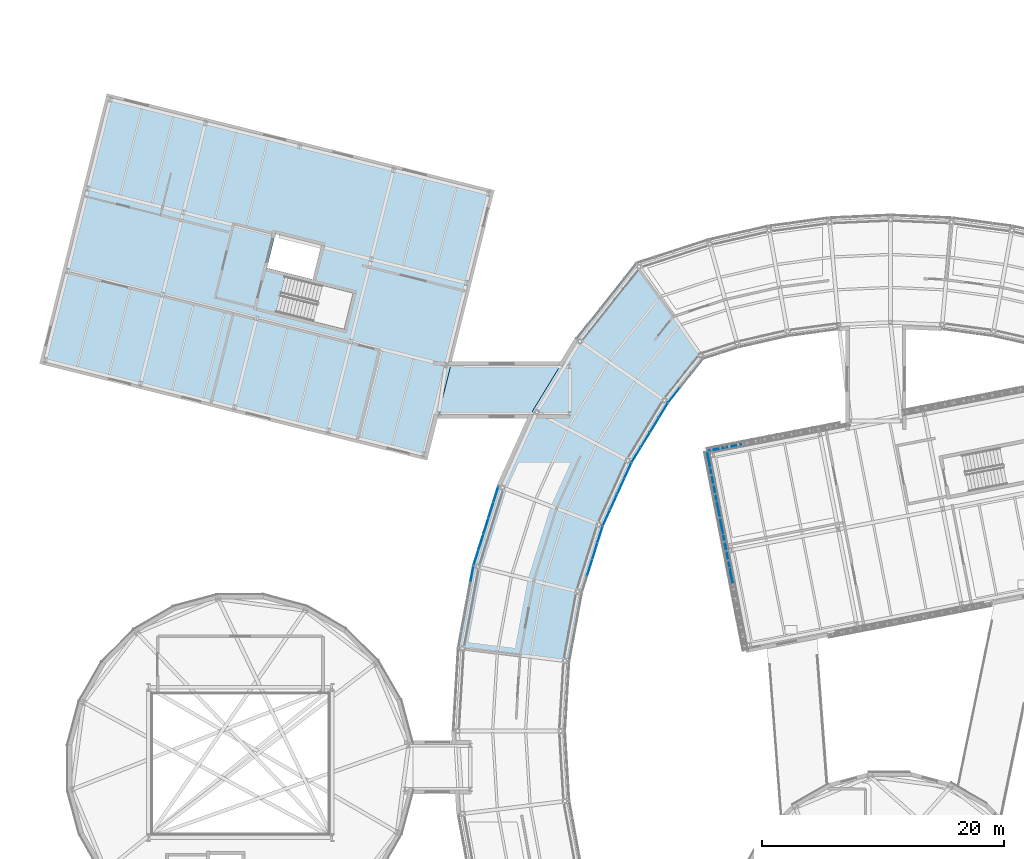
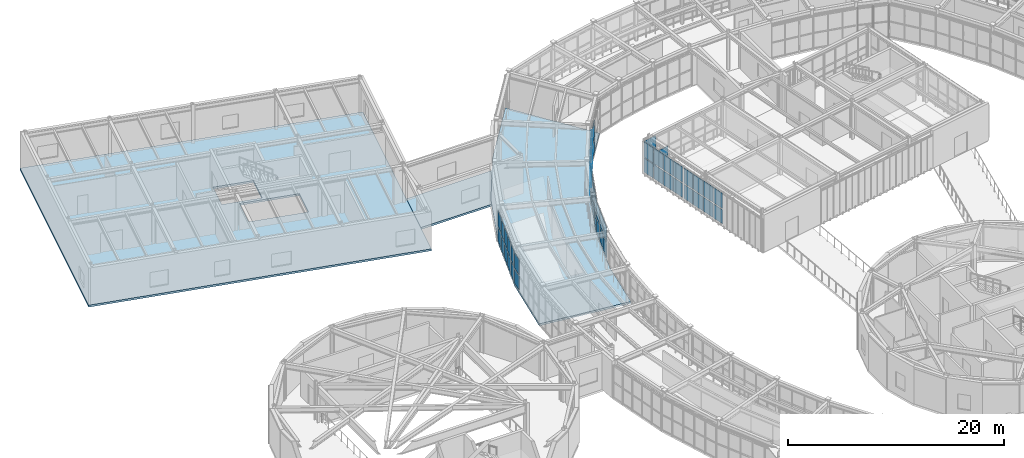
# One storey, part 63 of 103: 55 plates, 3 slabs, 9 elements without a shape of their own.
"""IFC4 building model written with IfcOpenShell, lengths in metres."""

from ifc_helpers import new_model, si_unit, direction, frame, origin, origin_2d, place, context, subcontext, project, spatial, polyline, rectangle, outline, extrude, material, layer, layer_set, type_object, element, aggregate, save


model = new_model("IFC4")

# Units and contexts
model_context = context("Model", 3, precision=1e-05, world=origin(), true_north=direction((0.0, 1.0)))
body_context = subcontext(model_context, "Body", "Model", "MODEL_VIEW")
ifc_project = project(units=[si_unit("LENGTHUNIT", "METRE"), si_unit("AREAUNIT", "SQUARE_METRE"), si_unit("VOLUMEUNIT", "CUBIC_METRE"), si_unit("PLANEANGLEUNIT", "RADIAN"), si_unit("MASSUNIT", "GRAM", prefix="KILO")], contexts=[model_context])

# Site, building, storey
site_placement = place(None, origin())
site = spatial("IfcSite", under=ifc_project, at=site_placement, CompositionType="ELEMENT")
building_placement = place(site_placement, origin())
building = spatial("IfcBuilding", under=site, at=building_placement, Name="Varnklinge Art Gallery", CompositionType="ELEMENT")
storey_placement = place(building_placement, frame((0.0, 0.0, 5.10009765625)))
storey = spatial("IfcBuildingStorey", under=building, at=storey_placement, Name="L01", CompositionType="ELEMENT", Elevation=5.10009765625)

# Curtain wall, plates
ifc_material_1 = material(Name="Anodised Aluminium", Category="aluminium")
curtain_wall_type_1 = type_object("IfcCurtainWallType", Name="CW-R04", PredefinedType="USERDEFINED", material=ifc_material_1)
curtain_wall_1_placement = place(storey_placement, origin())
curtain_wall_1 = element("IfcCurtainWall", 1, at=curtain_wall_1_placement, inside=storey, type_object=curtain_wall_type_1, Name="L01 Curtain Wall CW-V2I-L01-21", ObjectType="UNITISED CURTAIN WALL", PredefinedType="USERDEFINED")
ifc_material_2 = material(Name="Insulated Low-E Triple Glazing", Category="glass")
ifc_layer_1 = layer(ifc_material_2, 0.031982421875)
ifc_layer_set_1 = layer_set([ifc_layer_1], Name="Insulated Low-E Triple Glazing")
plate_type_1 = type_object("IfcPlateType", Name="GLZ-32", PredefinedType="CURTAIN_PANEL", material=ifc_layer_set_1)
plate_1_placement = place(storey_placement, frame((57.614990234375, 82.7236328125, 0.11767578125), z_axis=(0.0, 0.0, 1.0), x_axis=(0.620737354217, 0.784018582101, 0.0)))
plate_1 = element("IfcPlate", 2, at=plate_1_placement, type_object=plate_type_1, Name="CW-V2I-L01-21 Glazing Panel 1.1", PredefinedType="CURTAIN_PANEL", context=body_context, shape_type="SweptSolid", body=[
    extrude(rectangle(XDim=1.4658203125, YDim=0.031982421875, at=origin_2d()), origin(), (0.0, 0.0, 1.0), 1.614501953125),
])
plate_2_placement = place(storey_placement, frame((57.614990234375, 82.7236328125, 1.84814453125), z_axis=(0.0, 0.0, 1.0), x_axis=(0.620737354217, 0.784018582101, 0.0)))
plate_2 = element("IfcPlate", 3, at=plate_2_placement, type_object=plate_type_1, Name="CW-V2I-L01-21 Glazing Panel 1.2", PredefinedType="CURTAIN_PANEL", context=body_context, shape_type="SweptSolid", body=[
    extrude(rectangle(XDim=1.4658203125, YDim=0.031982421875, at=origin_2d()), origin(), (0.0, 0.0, 1.0), 1.763671875),
])
aggregate(curtain_wall_1, [plate_1, plate_2])

curtain_wall_2_placement = place(storey_placement, origin())
curtain_wall_2 = element("IfcCurtainWall", 4, at=curtain_wall_2_placement, inside=storey, type_object=curtain_wall_type_1, Name="L01 Curtain Wall CW-V2I-L01-22", ObjectType="UNITISED CURTAIN WALL", PredefinedType="USERDEFINED")
plate_3_placement = place(storey_placement, frame((54.503173828125, 77.80908203125, 0.11767578125), z_axis=(0.0, 0.0, 1.0), x_axis=(0.520860651188, 0.85364171761, 0.0)))
plate_3 = element("IfcPlate", 5, at=plate_3_placement, type_object=plate_type_1, Name="CW-V2I-L01-22 Glazing Panel 1.1", PredefinedType="CURTAIN_PANEL", context=body_context, shape_type="SweptSolid", body=[
    extrude(rectangle(XDim=1.355712890625, YDim=0.031982421875, at=origin_2d()), origin(), (0.0, 0.0, 1.0), 1.614501953125),
])
plate_4_placement = place(storey_placement, frame((54.503173828125, 77.80908203125, 1.84814453125), z_axis=(0.0, 0.0, 1.0), x_axis=(0.520860651188, 0.85364171761, 0.0)))
plate_4 = element("IfcPlate", 6, at=plate_4_placement, type_object=plate_type_1, Name="CW-V2I-L01-22 Glazing Panel 1.2", PredefinedType="CURTAIN_PANEL", context=body_context, shape_type="SweptSolid", body=[
    extrude(rectangle(XDim=1.355712890625, YDim=0.031982421875, at=origin_2d()), origin(), (0.0, 0.0, 1.0), 1.763671875),
])
plate_5_placement = place(storey_placement, frame((55.246337890625, 79.02685546875, 0.11767578125), z_axis=(0.0, 0.0, 1.0), x_axis=(0.520860651188, 0.85364171761, 0.0)))
plate_5 = element("IfcPlate", 7, at=plate_5_placement, type_object=plate_type_1, Name="CW-V2I-L01-22 Glazing Panel 2.1", PredefinedType="CURTAIN_PANEL", context=body_context, shape_type="SweptSolid", body=[
    extrude(rectangle(XDim=1.3857421875, YDim=0.031982421875, at=origin_2d()), origin(), (0.0, 0.0, 1.0), 1.614501953125),
])
plate_6_placement = place(storey_placement, frame((55.246337890625, 79.02685546875, 1.84814453125), z_axis=(0.0, 0.0, 1.0), x_axis=(0.520860651188, 0.85364171761, 0.0)))
plate_6 = element("IfcPlate", 8, at=plate_6_placement, type_object=plate_type_1, Name="CW-V2I-L01-22 Glazing Panel 2.2", PredefinedType="CURTAIN_PANEL", context=body_context, shape_type="SweptSolid", body=[
    extrude(rectangle(XDim=1.3857421875, YDim=0.031982421875, at=origin_2d()), origin(), (0.0, 0.0, 1.0), 1.763671875),
])
plate_7_placement = place(storey_placement, frame((55.997314453125, 80.257568359375, 0.11767578125), z_axis=(0.0, 0.0, 1.0), x_axis=(0.520860651188, 0.85364171761, 0.0)))
plate_7 = element("IfcPlate", 9, at=plate_7_placement, type_object=plate_type_1, Name="CW-V2I-L01-22 Glazing Panel 3.1", PredefinedType="CURTAIN_PANEL", context=body_context, shape_type="SweptSolid", body=[
    extrude(rectangle(XDim=1.3857421875, YDim=0.031982421875, at=origin_2d()), origin(), (0.0, 0.0, 1.0), 1.614501953125),
])
plate_8_placement = place(storey_placement, frame((55.997314453125, 80.257568359375, 1.84814453125), z_axis=(0.0, 0.0, 1.0), x_axis=(0.520860651188, 0.85364171761, 0.0)))
plate_8 = element("IfcPlate", 10, at=plate_8_placement, type_object=plate_type_1, Name="CW-V2I-L01-22 Glazing Panel 3.2", PredefinedType="CURTAIN_PANEL", context=body_context, shape_type="SweptSolid", body=[
    extrude(rectangle(XDim=1.3857421875, YDim=0.031982421875, at=origin_2d()), origin(), (0.0, 0.0, 1.0), 1.763671875),
])
plate_9_placement = place(storey_placement, frame((56.740478515625, 81.475341796875, 0.11767578125), z_axis=(0.0, 0.0, 1.0), x_axis=(0.520860651188, 0.85364171761, 0.0)))
plate_9 = element("IfcPlate", 11, at=plate_9_placement, type_object=plate_type_1, Name="CW-V2I-L01-22 Glazing Panel 4.1", PredefinedType="CURTAIN_PANEL", context=body_context, shape_type="SweptSolid", body=[
    extrude(rectangle(XDim=1.355712890625, YDim=0.031982421875, at=origin_2d()), origin(), (0.0, 0.0, 1.0), 1.614501953125),
])
plate_10_placement = place(storey_placement, frame((56.740478515625, 81.475341796875, 1.84814453125), z_axis=(0.0, 0.0, 1.0), x_axis=(0.520860651188, 0.85364171761, 0.0)))
plate_10 = element("IfcPlate", 12, at=plate_10_placement, type_object=plate_type_1, Name="CW-V2I-L01-22 Glazing Panel 4.2", PredefinedType="CURTAIN_PANEL", context=body_context, shape_type="SweptSolid", body=[
    extrude(rectangle(XDim=1.355712890625, YDim=0.031982421875, at=origin_2d()), origin(), (0.0, 0.0, 1.0), 1.763671875),
])
aggregate(curtain_wall_2, [plate_3, plate_4, plate_5, plate_6, plate_7, plate_8, plate_9, plate_10])

curtain_wall_3_placement = place(storey_placement, origin())
curtain_wall_3 = element("IfcCurtainWall", 13, at=curtain_wall_3_placement, inside=storey, type_object=curtain_wall_type_1, Name="L01 Curtain Wall CW-V2I-L01-23", ObjectType="UNITISED CURTAIN WALL", PredefinedType="USERDEFINED")
plate_11_placement = place(storey_placement, frame((52.039794921875, 72.599609375, 0.11767578125), z_axis=(0.0, 0.0, 1.0), x_axis=(0.413422293217, 0.910539404678, 0.0)))
plate_11 = element("IfcPlate", 14, at=plate_11_placement, type_object=plate_type_1, Name="CW-V2I-L01-23 Glazing Panel 1.1", PredefinedType="CURTAIN_PANEL", context=body_context, shape_type="SweptSolid", body=[
    extrude(rectangle(XDim=1.355712890625, YDim=0.031982421875, at=origin_2d()), origin(), (0.0, 0.0, 1.0), 1.614501953125),
])
plate_12_placement = place(storey_placement, frame((52.039794921875, 72.599609375, 1.84814453125), z_axis=(0.0, 0.0, 1.0), x_axis=(0.413422293217, 0.910539404678, 0.0)))
plate_12 = element("IfcPlate", 15, at=plate_12_placement, type_object=plate_type_1, Name="CW-V2I-L01-23 Glazing Panel 1.2", PredefinedType="CURTAIN_PANEL", context=body_context, shape_type="SweptSolid", body=[
    extrude(rectangle(XDim=1.355712890625, YDim=0.031982421875, at=origin_2d()), origin(), (0.0, 0.0, 1.0), 1.763671875),
])
plate_13_placement = place(storey_placement, frame((52.629638671875, 73.898681640625, 0.11767578125), z_axis=(0.0, 0.0, 1.0), x_axis=(0.413422293217, 0.910539404678, 0.0)))
plate_13 = element("IfcPlate", 16, at=plate_13_placement, type_object=plate_type_1, Name="CW-V2I-L01-23 Glazing Panel 2.1", PredefinedType="CURTAIN_PANEL", context=body_context, shape_type="SweptSolid", body=[
    extrude(rectangle(XDim=1.3857421875, YDim=0.031982421875, at=origin_2d()), origin(), (0.0, 0.0, 1.0), 1.614501953125),
])
plate_14_placement = place(storey_placement, frame((52.629638671875, 73.898681640625, 1.84814453125), z_axis=(0.0, 0.0, 1.0), x_axis=(0.413422293217, 0.910539404678, 0.0)))
plate_14 = element("IfcPlate", 17, at=plate_14_placement, type_object=plate_type_1, Name="CW-V2I-L01-23 Glazing Panel 2.2", PredefinedType="CURTAIN_PANEL", context=body_context, shape_type="SweptSolid", body=[
    extrude(rectangle(XDim=1.3857421875, YDim=0.031982421875, at=origin_2d()), origin(), (0.0, 0.0, 1.0), 1.763671875),
])
plate_15_placement = place(storey_placement, frame((53.2255859375, 75.211669921875, 0.11767578125), z_axis=(0.0, 0.0, 1.0), x_axis=(0.413422293217, 0.910539404678, 0.0)))
plate_15 = element("IfcPlate", 18, at=plate_15_placement, type_object=plate_type_1, Name="CW-V2I-L01-23 Glazing Panel 3.1", PredefinedType="CURTAIN_PANEL", context=body_context, shape_type="SweptSolid", body=[
    extrude(rectangle(XDim=1.3857421875, YDim=0.031982421875, at=origin_2d()), origin(), (0.0, 0.0, 1.0), 1.614501953125),
])
plate_16_placement = place(storey_placement, frame((53.2255859375, 75.211669921875, 1.84814453125), z_axis=(0.0, 0.0, 1.0), x_axis=(0.413422293217, 0.910539404678, 0.0)))
plate_16 = element("IfcPlate", 19, at=plate_16_placement, type_object=plate_type_1, Name="CW-V2I-L01-23 Glazing Panel 3.2", PredefinedType="CURTAIN_PANEL", context=body_context, shape_type="SweptSolid", body=[
    extrude(rectangle(XDim=1.3857421875, YDim=0.031982421875, at=origin_2d()), origin(), (0.0, 0.0, 1.0), 1.763671875),
])
plate_17_placement = place(storey_placement, frame((53.8154296875, 76.5107421875, 0.11767578125), z_axis=(0.0, 0.0, 1.0), x_axis=(0.413422293217, 0.910539404678, 0.0)))
plate_17 = element("IfcPlate", 20, at=plate_17_placement, type_object=plate_type_1, Name="CW-V2I-L01-23 Glazing Panel 4.1", PredefinedType="CURTAIN_PANEL", context=body_context, shape_type="SweptSolid", body=[
    extrude(rectangle(XDim=1.355712890625, YDim=0.031982421875, at=origin_2d()), origin(), (0.0, 0.0, 1.0), 1.614501953125),
])
plate_18_placement = place(storey_placement, frame((53.8154296875, 76.5107421875, 1.84814453125), z_axis=(0.0, 0.0, 1.0), x_axis=(0.413422293217, 0.910539404678, 0.0)))
plate_18 = element("IfcPlate", 21, at=plate_18_placement, type_object=plate_type_1, Name="CW-V2I-L01-23 Glazing Panel 4.2", PredefinedType="CURTAIN_PANEL", context=body_context, shape_type="SweptSolid", body=[
    extrude(rectangle(XDim=1.355712890625, YDim=0.031982421875, at=origin_2d()), origin(), (0.0, 0.0, 1.0), 1.763671875),
])
aggregate(curtain_wall_3, [plate_11, plate_12, plate_13, plate_14, plate_15, plate_16, plate_17, plate_18])

curtain_wall_4_placement = place(storey_placement, origin())
curtain_wall_4 = element("IfcCurtainWall", 22, at=curtain_wall_4_placement, inside=storey, type_object=curtain_wall_type_1, Name="L01 Curtain Wall CW-V2I-L01-24", ObjectType="UNITISED CURTAIN WALL", PredefinedType="USERDEFINED")
plate_19_placement = place(storey_placement, frame((50.6552734375, 68.49072265625, 0.11767578125), z_axis=(0.0, 0.0, 1.0), x_axis=(0.299706904751, 0.954031326134, 0.0)))
plate_19 = element("IfcPlate", 23, at=plate_19_placement, type_object=plate_type_1, Name="CW-V2I-L01-24 Glazing Panel 2.1", PredefinedType="CURTAIN_PANEL", context=body_context, shape_type="SweptSolid", body=[
    extrude(rectangle(XDim=1.3857421875, YDim=0.031982421875, at=origin_2d()), origin(), (0.0, 0.0, 1.0), 1.614501953125),
])
plate_20_placement = place(storey_placement, frame((50.6552734375, 68.49072265625, 1.84814453125), z_axis=(0.0, 0.0, 1.0), x_axis=(0.299706904751, 0.954031326134, 0.0)))
plate_20 = element("IfcPlate", 24, at=plate_20_placement, type_object=plate_type_1, Name="CW-V2I-L01-24 Glazing Panel 2.2", PredefinedType="CURTAIN_PANEL", context=body_context, shape_type="SweptSolid", body=[
    extrude(rectangle(XDim=1.3857421875, YDim=0.031982421875, at=origin_2d()), origin(), (0.0, 0.0, 1.0), 1.763671875),
])
plate_21_placement = place(storey_placement, frame((51.08740234375, 69.8662109375, 0.11767578125), z_axis=(0.0, 0.0, 1.0), x_axis=(0.299706904751, 0.954031326134, 0.0)))
plate_21 = element("IfcPlate", 25, at=plate_21_placement, type_object=plate_type_1, Name="CW-V2I-L01-24 Glazing Panel 3.1", PredefinedType="CURTAIN_PANEL", context=body_context, shape_type="SweptSolid", body=[
    extrude(rectangle(XDim=1.3857421875, YDim=0.031982421875, at=origin_2d()), origin(), (0.0, 0.0, 1.0), 1.614501953125),
])
plate_22_placement = place(storey_placement, frame((51.08740234375, 69.8662109375, 1.84814453125), z_axis=(0.0, 0.0, 1.0), x_axis=(0.299706904751, 0.954031326134, 0.0)))
plate_22 = element("IfcPlate", 26, at=plate_22_placement, type_object=plate_type_1, Name="CW-V2I-L01-24 Glazing Panel 3.2", PredefinedType="CURTAIN_PANEL", context=body_context, shape_type="SweptSolid", body=[
    extrude(rectangle(XDim=1.3857421875, YDim=0.031982421875, at=origin_2d()), origin(), (0.0, 0.0, 1.0), 1.763671875),
])
plate_23_placement = place(storey_placement, frame((51.514892578125, 71.2275390625, 0.11767578125), z_axis=(0.0, 0.0, 1.0), x_axis=(0.299706904751, 0.954031326134, 0.0)))
plate_23 = element("IfcPlate", 27, at=plate_23_placement, type_object=plate_type_1, Name="CW-V2I-L01-24 Glazing Panel 4.1", PredefinedType="CURTAIN_PANEL", context=body_context, shape_type="SweptSolid", body=[
    extrude(rectangle(XDim=1.355712890625, YDim=0.031982421875, at=origin_2d()), origin(), (0.0, 0.0, 1.0), 1.614501953125),
])
plate_24_placement = place(storey_placement, frame((51.514892578125, 71.2275390625, 1.84814453125), z_axis=(0.0, 0.0, 1.0), x_axis=(0.299706904751, 0.954031326134, 0.0)))
plate_24 = element("IfcPlate", 28, at=plate_24_placement, type_object=plate_type_1, Name="CW-V2I-L01-24 Glazing Panel 4.2", PredefinedType="CURTAIN_PANEL", context=body_context, shape_type="SweptSolid", body=[
    extrude(rectangle(XDim=1.355712890625, YDim=0.031982421875, at=origin_2d()), origin(), (0.0, 0.0, 1.0), 1.763671875),
])
aggregate(curtain_wall_4, [plate_19, plate_20, plate_21, plate_22, plate_23, plate_24])

ifc_material_3 = material(Name="Anodised Aluminium", Category="aluminium")
curtain_wall_type_2 = type_object("IfcCurtainWallType", Name="CW-R02", PredefinedType="USERDEFINED", material=ifc_material_3)
curtain_wall_5_placement = place(storey_placement, origin())
curtain_wall_5 = element("IfcCurtainWall", 29, at=curtain_wall_5_placement, inside=storey, type_object=curtain_wall_type_2, Name="L01 Curtain Wall CW-V2O-L01-24", ObjectType="UNITISED CURTAIN WALL", PredefinedType="USERDEFINED")
ifc_material_4 = material(Name="Insulated Low-E Triple Glazing", Category="glass")
ifc_layer_2 = layer(ifc_material_4, 0.0380859375)
ifc_layer_set_2 = layer_set([ifc_layer_2], Name="Insulated Low-E Triple Glazing")
plate_type_2 = type_object("IfcPlateType", Name="GLZ-38", PredefinedType="CURTAIN_PANEL", material=ifc_layer_set_2)
plate_25_placement = place(storey_placement, frame((42.915283203125, 74.549560546875, 0.14794921875), z_axis=(0.0, 0.0, 1.0), x_axis=(-0.299706904751, -0.954031326134, 0.0)))
plate_25 = element("IfcPlate", 30, at=plate_25_placement, type_object=plate_type_2, Name="CW-V2O-L01-24 Glazing Panel 1.1", PredefinedType="CURTAIN_PANEL", context=body_context, shape_type="SweptSolid", body=[
    extrude(rectangle(XDim=1.2841796875, YDim=0.0380859375, at=origin_2d()), origin(), (0.0, 0.0, 1.0), 1.5693359375),
])
plate_26_placement = place(storey_placement, frame((42.915283203125, 74.549560546875, 1.86328125), z_axis=(0.0, 0.0, 1.0), x_axis=(-0.299706904751, -0.954031326134, 0.0)))
plate_26 = element("IfcPlate", 31, at=plate_26_placement, type_object=plate_type_2, Name="CW-V2O-L01-24 Glazing Panel 1.2", PredefinedType="CURTAIN_PANEL", context=body_context, shape_type="SweptSolid", body=[
    extrude(rectangle(XDim=1.2841796875, YDim=0.0380859375, at=origin_2d()), origin(), (0.0, 0.0, 1.0), 1.718505859375),
])
plate_27_placement = place(storey_placement, frame((42.507080078125, 73.25048828125, 0.14794921875), z_axis=(0.0, 0.0, 1.0), x_axis=(-0.299706904751, -0.954031326134, 0.0)))
plate_27 = element("IfcPlate", 32, at=plate_27_placement, type_object=plate_type_2, Name="CW-V2O-L01-24 Glazing Panel 2.1", PredefinedType="CURTAIN_PANEL", context=body_context, shape_type="SweptSolid", body=[
    extrude(rectangle(XDim=1.316650390625, YDim=0.0380859375, at=origin_2d()), origin(), (0.0, 0.0, 1.0), 1.5693359375),
])
plate_28_placement = place(storey_placement, frame((42.507080078125, 73.25048828125, 1.86328125), z_axis=(0.0, 0.0, 1.0), x_axis=(-0.299706904751, -0.954031326134, 0.0)))
plate_28 = element("IfcPlate", 33, at=plate_28_placement, type_object=plate_type_2, Name="CW-V2O-L01-24 Glazing Panel 2.2", PredefinedType="CURTAIN_PANEL", context=body_context, shape_type="SweptSolid", body=[
    extrude(rectangle(XDim=1.316650390625, YDim=0.0380859375, at=origin_2d()), origin(), (0.0, 0.0, 1.0), 1.718505859375),
])
plate_29_placement = place(storey_placement, frame((42.09423828125, 71.936279296875, 0.14794921875), z_axis=(0.0, 0.0, 1.0), x_axis=(-0.299706904751, -0.954031326134, 0.0)))
plate_29 = element("IfcPlate", 34, at=plate_29_placement, type_object=plate_type_2, Name="CW-V2O-L01-24 Glazing Panel 3.1", PredefinedType="CURTAIN_PANEL", context=body_context, shape_type="SweptSolid", body=[
    extrude(rectangle(XDim=1.316650390625, YDim=0.0380859375, at=origin_2d()), origin(), (0.0, 0.0, 1.0), 1.5693359375),
])
plate_30_placement = place(storey_placement, frame((42.09423828125, 71.936279296875, 1.86328125), z_axis=(0.0, 0.0, 1.0), x_axis=(-0.299706904751, -0.954031326134, 0.0)))
plate_30 = element("IfcPlate", 35, at=plate_30_placement, type_object=plate_type_2, Name="CW-V2O-L01-24 Glazing Panel 3.2", PredefinedType="CURTAIN_PANEL", context=body_context, shape_type="SweptSolid", body=[
    extrude(rectangle(XDim=1.316650390625, YDim=0.0380859375, at=origin_2d()), origin(), (0.0, 0.0, 1.0), 1.718505859375),
])
plate_31_placement = place(storey_placement, frame((41.681396484375, 70.621826171875, 0.14794921875), z_axis=(0.0, 0.0, 1.0), x_axis=(-0.299706904751, -0.954031326134, 0.0)))
plate_31 = element("IfcPlate", 36, at=plate_31_placement, type_object=plate_type_2, Name="CW-V2O-L01-24 Glazing Panel 4.1", PredefinedType="CURTAIN_PANEL", context=body_context, shape_type="SweptSolid", body=[
    extrude(rectangle(XDim=1.316650390625, YDim=0.0380859375, at=origin_2d()), origin(), (0.0, 0.0, 1.0), 1.5693359375),
])
plate_32_placement = place(storey_placement, frame((41.681396484375, 70.621826171875, 1.86328125), z_axis=(0.0, 0.0, 1.0), x_axis=(-0.299706904751, -0.954031326134, 0.0)))
plate_32 = element("IfcPlate", 37, at=plate_32_placement, type_object=plate_type_2, Name="CW-V2O-L01-24 Glazing Panel 4.2", PredefinedType="CURTAIN_PANEL", context=body_context, shape_type="SweptSolid", body=[
    extrude(rectangle(XDim=1.316650390625, YDim=0.0380859375, at=origin_2d()), origin(), (0.0, 0.0, 1.0), 1.718505859375),
])
plate_33_placement = place(storey_placement, frame((41.273193359375, 69.322998046875, 0.14794921875), z_axis=(0.0, 0.0, 1.0), x_axis=(-0.299706904751, -0.954031326134, 0.0)))
plate_33 = element("IfcPlate", 38, at=plate_33_placement, type_object=plate_type_2, Name="CW-V2O-L01-24 Glazing Panel 5.1", PredefinedType="CURTAIN_PANEL", context=body_context, shape_type="SweptSolid", body=[
    extrude(rectangle(XDim=1.2841796875, YDim=0.0380859375, at=origin_2d()), origin(), (0.0, 0.0, 1.0), 1.5693359375),
])
plate_34_placement = place(storey_placement, frame((41.273193359375, 69.322998046875, 1.86328125), z_axis=(0.0, 0.0, 1.0), x_axis=(-0.299706904751, -0.954031326134, 0.0)))
plate_34 = element("IfcPlate", 39, at=plate_34_placement, type_object=plate_type_2, Name="CW-V2O-L01-24 Glazing Panel 5.2", PredefinedType="CURTAIN_PANEL", context=body_context, shape_type="SweptSolid", body=[
    extrude(rectangle(XDim=1.2841796875, YDim=0.0380859375, at=origin_2d()), origin(), (0.0, 0.0, 1.0), 1.718505859375),
])
aggregate(curtain_wall_5, [plate_25, plate_26, plate_27, plate_28, plate_29, plate_30, plate_31, plate_32, plate_33, plate_34])

curtain_wall_6_placement = place(storey_placement, origin())
curtain_wall_6 = element("IfcCurtainWall", 40, at=curtain_wall_6_placement, inside=storey, type_object=curtain_wall_type_2, Name="L01 Curtain Wall CW-V2O-L01-25", ObjectType="UNITISED CURTAIN WALL", PredefinedType="USERDEFINED")
plate_35_placement = place(storey_placement, frame((40.933837890625, 67.956787109375, 0.14794921875), z_axis=(0.0, 0.0, 1.0), x_axis=(-0.18172066947, -0.983350191075, 0.0)))
plate_35 = element("IfcPlate", 41, at=plate_35_placement, type_object=plate_type_2, Name="CW-V2O-L01-25 Glazing Panel 1.1", PredefinedType="CURTAIN_PANEL", context=body_context, shape_type="SweptSolid", body=[
    extrude(rectangle(XDim=1.2841796875, YDim=0.0380859375, at=origin_2d()), origin(), (0.0, 0.0, 1.0), 1.5693359375),
])
plate_36_placement = place(storey_placement, frame((40.933837890625, 67.956787109375, 1.86328125), z_axis=(0.0, 0.0, 1.0), x_axis=(-0.18172066947, -0.983350191075, 0.0)))
plate_36 = element("IfcPlate", 42, at=plate_36_placement, type_object=plate_type_2, Name="CW-V2O-L01-25 Glazing Panel 1.2", PredefinedType="CURTAIN_PANEL", context=body_context, shape_type="SweptSolid", body=[
    extrude(rectangle(XDim=1.2841796875, YDim=0.0380859375, at=origin_2d()), origin(), (0.0, 0.0, 1.0), 1.718505859375),
])
aggregate(curtain_wall_6, [plate_35, plate_36])

ifc_material_5 = material(Name="Anodised Aluminium", Category="aluminium")
curtain_wall_type_3 = type_object("IfcCurtainWallType", Name="CW-L02", PredefinedType="USERDEFINED", material=ifc_material_5)
curtain_wall_7_placement = place(storey_placement, origin())
curtain_wall_7 = element("IfcCurtainWall", 43, at=curtain_wall_7_placement, inside=storey, type_object=curtain_wall_type_3, Name="L01 Curtain Wall CW-V4B-L01-3-2-2", ObjectType="UNITISED CURTAIN WALL", PredefinedType="USERDEFINED")
ifc_material_6 = material(Name="Insulated Low-E Triple Glazing", Category="glass")
ifc_layer_3 = layer(ifc_material_6, 0.0439453125)
ifc_layer_set_3 = layer_set([ifc_layer_3], Name="Insulated Low-E Triple Glazing")
plate_type_3 = type_object("IfcPlateType", Name="GLZ-44", PredefinedType="CURTAIN_PANEL", material=ifc_layer_set_3)
plate_37_placement = place(storey_placement, frame((62.557373046875, 78.54150390625, 0.14794921875), z_axis=(0.0, 0.0, 1.0), x_axis=(-0.981627183448, -0.190808995377, 0.0)))
plate_37 = element("IfcPlate", 44, at=plate_37_placement, type_object=plate_type_3, Name="CW-V4B-L01-3-2-2 Glazing Panel 3.1", PredefinedType="CURTAIN_PANEL", context=body_context, shape_type="SweptSolid", body=[
    extrude(rectangle(XDim=1.427734375, YDim=0.0439453125, at=origin_2d()), origin(), (0.0, 0.0, 1.0), 1.5791015625),
])
plate_38_placement = place(storey_placement, frame((61.104736328125, 78.259033203125, 0.14794921875), z_axis=(0.0, 0.0, 1.0), x_axis=(-0.981627183448, -0.190808995377, 0.0)))
plate_38 = element("IfcPlate", 45, at=plate_38_placement, type_object=plate_type_3, Name="CW-V4B-L01-3-2-2 Glazing Panel 4.1", PredefinedType="CURTAIN_PANEL", context=body_context, shape_type="SweptSolid", body=[
    extrude(rectangle(XDim=1.39013671875, YDim=0.0439453125, at=origin_2d()), origin(), (0.0, 0.0, 1.0), 1.5791015625),
])
plate_39_placement = place(storey_placement, frame((61.104736328125, 78.259033203125, 1.872802734375), z_axis=(0.0, 0.0, 1.0), x_axis=(-0.981627183448, -0.190808995377, 0.0)))
plate_39 = element("IfcPlate", 46, at=plate_39_placement, type_object=plate_type_3, Name="CW-V4B-L01-3-2-2 Glazing Panel 4.2", PredefinedType="CURTAIN_PANEL", context=body_context, shape_type="SweptSolid", body=[
    extrude(rectangle(XDim=1.39013671875, YDim=0.0439453125, at=origin_2d()), origin(), (0.0, 0.0, 1.0), 1.72900390625),
])
aggregate(curtain_wall_7, [plate_37, plate_38, plate_39])

ifc_material_7 = material(Name="Anodised Aluminium", Category="aluminium")
curtain_wall_type_4 = type_object("IfcCurtainWallType", Name="CW-L06", PredefinedType="USERDEFINED", material=ifc_material_7)
curtain_wall_8_placement = place(storey_placement, origin())
curtain_wall_8 = element("IfcCurtainWall", 47, at=curtain_wall_8_placement, inside=storey, type_object=curtain_wall_type_4, Name="L01 Curtain Wall CW-V4B-L01-4-1-1", ObjectType="UNITISED CURTAIN WALL", PredefinedType="USERDEFINED")
plate_40_placement = place(storey_placement, frame((60.48779296875, 77.406982421875, 0.14794921875), z_axis=(0.0, 0.0, 1.0), x_axis=(0.190808995377, -0.981627183448, 0.0)))
plate_40 = element("IfcPlate", 48, at=plate_40_placement, type_object=plate_type_3, Name="CW-V4B-L01-4-1-1 Glazing Panel 1.1", PredefinedType="CURTAIN_PANEL", context=body_context, shape_type="SweptSolid", body=[
    extrude(rectangle(XDim=1.29150390625, YDim=0.0439453125, at=origin_2d()), origin(), (0.0, 0.0, 1.0), 1.5791015625),
])
plate_41_placement = place(storey_placement, frame((60.48779296875, 77.406982421875, 1.872802734375), z_axis=(0.0, 0.0, 1.0), x_axis=(0.190808995377, -0.981627183448, 0.0)))
plate_41 = element("IfcPlate", 49, at=plate_41_placement, type_object=plate_type_3, Name="CW-V4B-L01-4-1-1 Glazing Panel 1.2", PredefinedType="CURTAIN_PANEL", context=body_context, shape_type="SweptSolid", body=[
    extrude(rectangle(XDim=1.29150390625, YDim=0.0439453125, at=origin_2d()), origin(), (0.0, 0.0, 1.0), 1.72900390625),
])
plate_42_placement = place(storey_placement, frame((60.75146484375, 76.051025390625, 0.14794921875), z_axis=(0.0, 0.0, 1.0), x_axis=(0.190808995377, -0.981627183448, 0.0)))
plate_42 = element("IfcPlate", 50, at=plate_42_placement, type_object=plate_type_3, Name="CW-V4B-L01-4-1-1 Glazing Panel 2.1", PredefinedType="CURTAIN_PANEL", context=body_context, shape_type="SweptSolid", body=[
    extrude(rectangle(XDim=1.3291015625, YDim=0.0439453125, at=origin_2d()), origin(), (0.0, 0.0, 1.0), 1.5791015625),
])
plate_43_placement = place(storey_placement, frame((60.75146484375, 76.051025390625, 1.872802734375), z_axis=(0.0, 0.0, 1.0), x_axis=(0.190808995377, -0.981627183448, 0.0)))
plate_43 = element("IfcPlate", 51, at=plate_43_placement, type_object=plate_type_3, Name="CW-V4B-L01-4-1-1 Glazing Panel 2.2", PredefinedType="CURTAIN_PANEL", context=body_context, shape_type="SweptSolid", body=[
    extrude(rectangle(XDim=1.3291015625, YDim=0.0439453125, at=origin_2d()), origin(), (0.0, 0.0, 1.0), 1.72900390625),
])
plate_44_placement = place(storey_placement, frame((61.0185546875, 74.6767578125, 0.14794921875), z_axis=(0.0, 0.0, 1.0), x_axis=(0.190808995377, -0.981627183448, 0.0)))
plate_44 = element("IfcPlate", 52, at=plate_44_placement, type_object=plate_type_3, Name="CW-V4B-L01-4-1-1 Glazing Panel 3.1", PredefinedType="CURTAIN_PANEL", context=body_context, shape_type="SweptSolid", body=[
    extrude(rectangle(XDim=1.3291015625, YDim=0.0439453125, at=origin_2d()), origin(), (0.0, 0.0, 1.0), 1.5791015625),
])
plate_45_placement = place(storey_placement, frame((61.0185546875, 74.6767578125, 1.872802734375), z_axis=(0.0, 0.0, 1.0), x_axis=(0.190808995377, -0.981627183448, 0.0)))
plate_45 = element("IfcPlate", 53, at=plate_45_placement, type_object=plate_type_3, Name="CW-V4B-L01-4-1-1 Glazing Panel 3.2", PredefinedType="CURTAIN_PANEL", context=body_context, shape_type="SweptSolid", body=[
    extrude(rectangle(XDim=1.3291015625, YDim=0.0439453125, at=origin_2d()), origin(), (0.0, 0.0, 1.0), 1.72900390625),
])
plate_46_placement = place(storey_placement, frame((61.281982421875, 73.32080078125, 0.14794921875), z_axis=(0.0, 0.0, 1.0), x_axis=(0.190808995377, -0.981627183448, 0.0)))
plate_46 = element("IfcPlate", 54, at=plate_46_placement, type_object=plate_type_3, Name="CW-V4B-L01-4-1-1 Glazing Panel 4.1", PredefinedType="CURTAIN_PANEL", context=body_context, shape_type="SweptSolid", body=[
    extrude(rectangle(XDim=1.29150390625, YDim=0.0439453125, at=origin_2d()), origin(), (0.0, 0.0, 1.0), 1.5791015625),
])
plate_47_placement = place(storey_placement, frame((61.281982421875, 73.32080078125, 1.872802734375), z_axis=(0.0, 0.0, 1.0), x_axis=(0.190808995377, -0.981627183448, 0.0)))
plate_47 = element("IfcPlate", 55, at=plate_47_placement, type_object=plate_type_3, Name="CW-V4B-L01-4-1-1 Glazing Panel 4.2", PredefinedType="CURTAIN_PANEL", context=body_context, shape_type="SweptSolid", body=[
    extrude(rectangle(XDim=1.29150390625, YDim=0.0439453125, at=origin_2d()), origin(), (0.0, 0.0, 1.0), 1.72900390625),
])
aggregate(curtain_wall_8, [plate_40, plate_41, plate_42, plate_43, plate_44, plate_45, plate_46, plate_47])

curtain_wall_9_placement = place(storey_placement, origin())
curtain_wall_9 = element("IfcCurtainWall", 56, at=curtain_wall_9_placement, inside=storey, type_object=curtain_wall_type_4, Name="L01 Curtain Wall CW-V4B-L01-4-1-2", ObjectType="UNITISED CURTAIN WALL", PredefinedType="USERDEFINED")
plate_48_placement = place(storey_placement, frame((61.556396484375, 71.909912109375, 0.14794921875), z_axis=(0.0, 0.0, 1.0), x_axis=(0.190808995377, -0.981627183448, 0.0)))
plate_48 = element("IfcPlate", 57, at=plate_48_placement, type_object=plate_type_3, Name="CW-V4B-L01-4-1-2 Glazing Panel 1.1", PredefinedType="CURTAIN_PANEL", context=body_context, shape_type="SweptSolid", body=[
    extrude(rectangle(XDim=1.29150390625, YDim=0.0439453125, at=origin_2d()), origin(), (0.0, 0.0, 1.0), 1.5791015625),
])
plate_49_placement = place(storey_placement, frame((61.556396484375, 71.909912109375, 1.872802734375), z_axis=(0.0, 0.0, 1.0), x_axis=(0.190808995377, -0.981627183448, 0.0)))
plate_49 = element("IfcPlate", 58, at=plate_49_placement, type_object=plate_type_3, Name="CW-V4B-L01-4-1-2 Glazing Panel 1.2", PredefinedType="CURTAIN_PANEL", context=body_context, shape_type="SweptSolid", body=[
    extrude(rectangle(XDim=1.29150390625, YDim=0.0439453125, at=origin_2d()), origin(), (0.0, 0.0, 1.0), 1.72900390625),
])
plate_50_placement = place(storey_placement, frame((61.81982421875, 70.553955078125, 0.14794921875), z_axis=(0.0, 0.0, 1.0), x_axis=(0.190808995377, -0.981627183448, 0.0)))
plate_50 = element("IfcPlate", 59, at=plate_50_placement, type_object=plate_type_3, Name="CW-V4B-L01-4-1-2 Glazing Panel 2.1", PredefinedType="CURTAIN_PANEL", context=body_context, shape_type="SweptSolid", body=[
    extrude(rectangle(XDim=1.3291015625, YDim=0.0439453125, at=origin_2d()), origin(), (0.0, 0.0, 1.0), 1.5791015625),
])
plate_51_placement = place(storey_placement, frame((61.81982421875, 70.553955078125, 1.872802734375), z_axis=(0.0, 0.0, 1.0), x_axis=(0.190808995377, -0.981627183448, 0.0)))
plate_51 = element("IfcPlate", 60, at=plate_51_placement, type_object=plate_type_3, Name="CW-V4B-L01-4-1-2 Glazing Panel 2.2", PredefinedType="CURTAIN_PANEL", context=body_context, shape_type="SweptSolid", body=[
    extrude(rectangle(XDim=1.3291015625, YDim=0.0439453125, at=origin_2d()), origin(), (0.0, 0.0, 1.0), 1.72900390625),
])
plate_52_placement = place(storey_placement, frame((62.087158203125, 69.1796875, 0.14794921875), z_axis=(0.0, 0.0, 1.0), x_axis=(0.190808995377, -0.981627183448, 0.0)))
plate_52 = element("IfcPlate", 61, at=plate_52_placement, type_object=plate_type_3, Name="CW-V4B-L01-4-1-2 Glazing Panel 3.1", PredefinedType="CURTAIN_PANEL", context=body_context, shape_type="SweptSolid", body=[
    extrude(rectangle(XDim=1.3291015625, YDim=0.0439453125, at=origin_2d()), origin(), (0.0, 0.0, 1.0), 1.5791015625),
])
plate_53_placement = place(storey_placement, frame((62.087158203125, 69.1796875, 1.872802734375), z_axis=(0.0, 0.0, 1.0), x_axis=(0.190808995377, -0.981627183448, 0.0)))
plate_53 = element("IfcPlate", 62, at=plate_53_placement, type_object=plate_type_3, Name="CW-V4B-L01-4-1-2 Glazing Panel 3.2", PredefinedType="CURTAIN_PANEL", context=body_context, shape_type="SweptSolid", body=[
    extrude(rectangle(XDim=1.3291015625, YDim=0.0439453125, at=origin_2d()), origin(), (0.0, 0.0, 1.0), 1.72900390625),
])
plate_54_placement = place(storey_placement, frame((62.3505859375, 67.82373046875, 0.14794921875), z_axis=(0.0, 0.0, 1.0), x_axis=(0.190808995377, -0.981627183448, 0.0)))
plate_54 = element("IfcPlate", 63, at=plate_54_placement, type_object=plate_type_3, Name="CW-V4B-L01-4-1-2 Glazing Panel 4.1", PredefinedType="CURTAIN_PANEL", context=body_context, shape_type="SweptSolid", body=[
    extrude(rectangle(XDim=1.29150390625, YDim=0.0439453125, at=origin_2d()), origin(), (0.0, 0.0, 1.0), 1.5791015625),
])
plate_55_placement = place(storey_placement, frame((62.3505859375, 67.82373046875, 1.872802734375), z_axis=(0.0, 0.0, 1.0), x_axis=(0.190808995377, -0.981627183448, 0.0)))
plate_55 = element("IfcPlate", 64, at=plate_55_placement, type_object=plate_type_3, Name="CW-V4B-L01-4-1-2 Glazing Panel 4.2", PredefinedType="CURTAIN_PANEL", context=body_context, shape_type="SweptSolid", body=[
    extrude(rectangle(XDim=1.29150390625, YDim=0.0439453125, at=origin_2d()), origin(), (0.0, 0.0, 1.0), 1.72900390625),
])
aggregate(curtain_wall_9, [plate_48, plate_49, plate_50, plate_51, plate_52, plate_53, plate_54, plate_55])

# Slabs
ifc_material_8 = material(Name="Concrete C35/45", Category="concrete")
ifc_layer_4 = layer(ifc_material_8, 0.219970703125)
ifc_layer_set_4 = layer_set([ifc_layer_4], Name="Concrete C35/45")
slab_type = type_object("IfcSlabType", Name="SLB-F22", PredefinedType="FLOOR", material=ifc_layer_set_4)
slab_1_placement = place(storey_placement, frame((0.0, 0.0, -0.22021484375)))
element("IfcSlab", 65, at=slab_1_placement, inside=storey, type_object=slab_type, Name="L01 Curved Gallery Ring Sector 5", PredefinedType="FLOOR", context=body_context, shape_type="SweptSolid", body=[
    extrude(outline(polyline([(49.56298828125, 87.375), (45.974609375, 81.494873046875), (43.126708984375, 75.22216796875), (41.06201171875, 68.650146484375), (39.810546875, 61.8759765625), (48.95947265625, 60.75634765625), (50.0068359375, 66.427490234375), (51.735595703125, 71.9296875), (54.11962890625, 77.180908203125), (57.1240234375, 82.103515625), (60.013916015625, 85.753662109375), (54.529296875, 93.647216796875), (49.56298828125, 87.375)])), origin(), (0.0, 0.0, 1.0), 0.22021484375),
])
slab_2_placement = place(storey_placement, frame((0.0, 0.0, -0.22021484375)))
element("IfcSlab", 66, at=slab_2_placement, inside=storey, type_object=slab_type, Name="L01 Conservation Wing Slab", PredefinedType="FLOOR", context=body_context, shape_type="SweptSolid", body=[
    extrude(outline(polyline([(10.772216796875, 107.650146484375), (5.2080078125, 85.333251953125), (37.227783203125, 77.349853515625), (42.7919921875, 99.666748046875), (10.772216796875, 107.650146484375)]), holes=[polyline([(25.501220703125, 92.560302734375), (31.1044921875, 91.1630859375), (30.3642578125, 88.194091796875), (24.7607421875, 89.591064453125), (25.501220703125, 92.560302734375)]), polyline([(28.482666015625, 95.11474609375), (27.78125, 92.30078125), (23.9970703125, 93.244384765625), (24.698486328125, 96.058349609375), (28.482666015625, 95.11474609375)])]), origin(), (0.0, 0.0, 1.0), 0.22021484375),
])
slab_3_placement = place(storey_placement, frame((0.0, 0.0, -0.22021484375)))
element("IfcSlab", 67, at=slab_3_placement, inside=storey, type_object=slab_type, Name="L01 LNK-V5 Gallery Link Slab", PredefinedType="FLOOR", context=body_context, shape_type="SweptSolid", body=[
    extrude(outline(polyline([(48.418701171875, 85.5), (39.259765625, 85.5), (38.087890625, 80.800048828125), (45.658935546875, 80.800048828125), (45.974609375, 81.494873046875), (48.418701171875, 85.5)])), origin(), (0.0, 0.0, 1.0), 0.22021484375),
])

save(model, "model.ifc")
